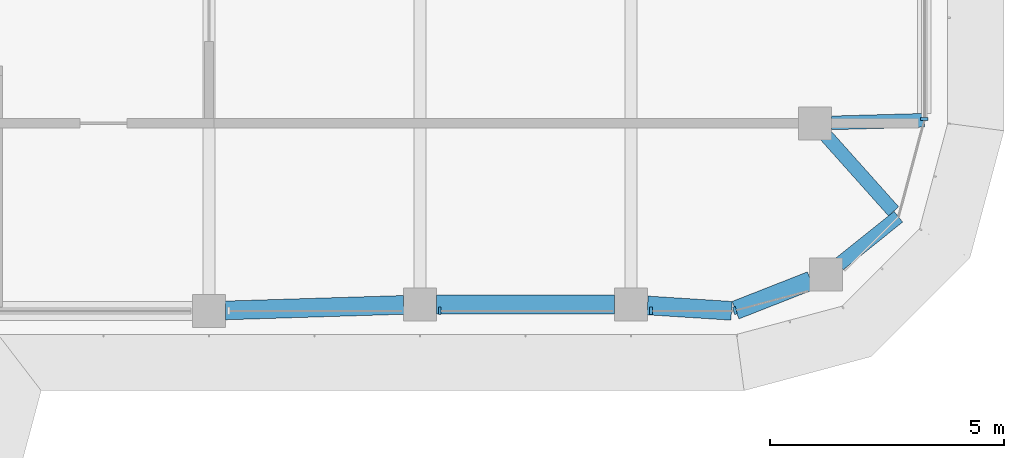
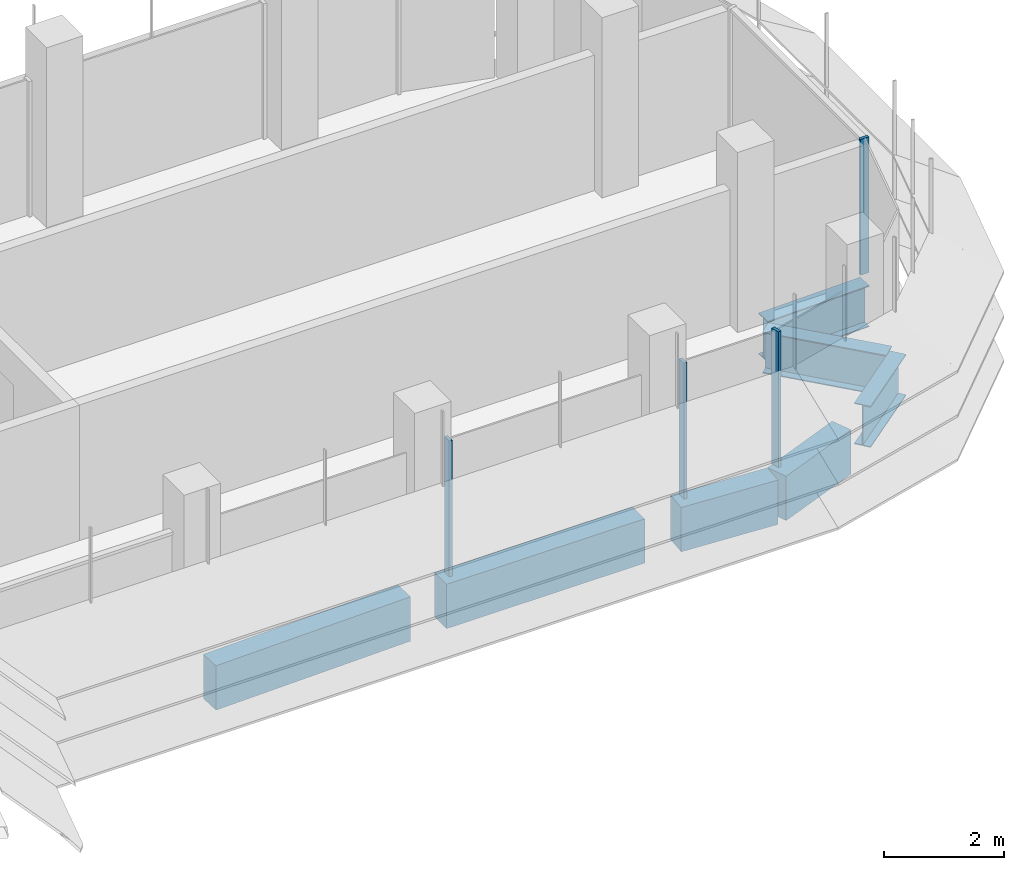
# One storey, part 5 of 19: 7 beams, 4 members, 3 elements without a shape of their own.
"""IFC4 building model written with IfcOpenShell, lengths in metres."""

from ifc_helpers import new_model, si_unit, direction, frame, origin, origin_2d, place, context, subcontext, project, spatial, polyline, rectangle, i_section, outline, extrude, source, transform, mapped, material, material_profile, profile_set, type_object, element, aggregate, save


model = new_model("IFC4")

# Units and contexts
model_context = context("Model", 3, precision=1e-05, world=origin(), true_north=direction((0.0, 1.0)))
body_context = subcontext(model_context, "Body", "Model", "MODEL_VIEW")
ifc_project = project(units=[si_unit("LENGTHUNIT", "METRE"), si_unit("AREAUNIT", "SQUARE_METRE"), si_unit("VOLUMEUNIT", "CUBIC_METRE"), si_unit("PLANEANGLEUNIT", "RADIAN"), si_unit("MASSUNIT", "GRAM", prefix="KILO")], contexts=[model_context])

# Site, building, storey
site_placement = place(None, origin())
site = spatial("IfcSite", under=ifc_project, at=site_placement, CompositionType="ELEMENT")
building_placement = place(site_placement, origin())
building = spatial("IfcBuilding", under=site, at=building_placement, Name="Zarbagh Exchange Tower", CompositionType="ELEMENT")
storey_placement = place(building_placement, frame((0.0, 0.0, 237.199951171875)))
storey = spatial("IfcBuildingStorey", under=building, at=storey_placement, Name="L58", CompositionType="ELEMENT", Elevation=237.199951171875)

# Beams
ifc_material_1 = material(Name="Steel ASTM A992 Gr 50", Category="steel")
ifc_material_profile_1 = material_profile(ifc_material_1, i_section(OverallWidth=0.2919921875, OverallDepth=0.835693359375, WebThickness=0.013916015625, FlangeThickness=0.018798828125, at=origin_2d()), Name="W33X118")
ifc_profile_set_1 = profile_set([ifc_material_profile_1], Name="Steel ASTM A992 Gr 50")
beam_type_1 = type_object("IfcBeamType", Name="Floor girder W33X118", PredefinedType="BEAM", material=ifc_profile_set_1)
beam_1_placement = place(storey_placement, frame((31.0, -2.18408203125, -0.56787109375), z_axis=(-0.999601581355, -0.028225494714, 0.0), x_axis=(0.028225494714, -0.999601581355, 0.0)))
element("IfcBeam", 1, at=beam_1_placement, inside=storey, type_object=beam_type_1, Name="Steel girder", PredefinedType="BEAM", context=body_context, shape_type="SweptSolid", body=[
    extrude(i_section(OverallWidth=0.2919921875, OverallDepth=0.835693359375, WebThickness=0.013916015625, FlangeThickness=0.018798828125, at=origin_2d()), origin(), (0.0, 0.0, 1.0), 1.980712890625),
])
beam_2_placement = place(storey_placement, frame((28.9033203125, -2.510986328125, -0.56787109375), z_axis=(0.666194955403, -0.745777635355, 0.0), x_axis=(0.745777635355, 0.666194955403, 0.0)))
element("IfcBeam", 2, at=beam_2_placement, inside=storey, type_object=beam_type_1, Name="Steel girder", PredefinedType="BEAM", context=body_context, shape_type="SweptSolid", body=[
    extrude(i_section(OverallWidth=0.2919921875, OverallDepth=0.835693359375, WebThickness=0.013916015625, FlangeThickness=0.018798828125, at=origin_2d()), origin(), (0.0, 0.0, 1.0), 2.165771484375),
])
beam_3_placement = place(storey_placement, frame((30.44873046875, -4.2412109375, -0.56787109375), z_axis=(-0.780619385558, -0.625006699877, 0.0), x_axis=(0.625006699877, -0.780619385558, 0.0)))
element("IfcBeam", 3, at=beam_3_placement, inside=storey, type_object=beam_type_1, Name="Steel girder", PredefinedType="BEAM", context=body_context, shape_type="SweptSolid", body=[
    extrude(i_section(OverallWidth=0.2919921875, OverallDepth=0.835693359375, WebThickness=0.013916015625, FlangeThickness=0.018798828125, at=origin_2d()), origin(), (0.0, 0.0, 1.0), 1.623779296875),
])
ifc_material_2 = material(Name="Concrete C50/60", Category="concrete")
ifc_material_profile_2 = material_profile(ifc_material_2, rectangle(XDim=0.39990234375, YDim=0.89990234375, at=origin_2d()), Name="RC spandrel beam 400 x 900 C50/60")
ifc_profile_set_2 = profile_set([ifc_material_profile_2], Name="Concrete C50/60")
beam_type_2 = type_object("IfcBeamType", Name="RC spandrel beam 400 x 900 C50/60", PredefinedType="SPANDREL", material=ifc_profile_set_2)
beam_4_placement = place(storey_placement, frame((28.582275390625, -5.602783203125, -0.599853515625), z_axis=(-0.930818525178, -0.365481700207, 0.0), x_axis=(0.365481700207, -0.930818525178, 0.0)))
element("IfcBeam", 4, at=beam_4_placement, inside=storey, type_object=beam_type_2, Name="RC spandrel beam", PredefinedType="SPANDREL", context=body_context, shape_type="SweptSolid", body=[
    extrude(rectangle(XDim=0.39990234375, YDim=0.89990234375, at=origin_2d()), origin(), (0.0, 0.0, 1.0), 1.72607421875),
])
beam_5_placement = place(storey_placement, frame((26.8896484375, -6.247314453125, -0.599853515625), z_axis=(-0.997943601797, 0.064098109429, 0.0), x_axis=(-0.064098109429, -0.997943601797, 0.0)))
element("IfcBeam", 5, at=beam_5_placement, inside=storey, type_object=beam_type_2, Name="RC spandrel beam", PredefinedType="SPANDREL", context=body_context, shape_type="SweptSolid", body=[
    extrude(rectangle(XDim=0.39990234375, YDim=0.89990234375, at=origin_2d()), origin(), (0.0, 0.0, 1.0), 1.7939453125),
])
beam_6_placement = place(storey_placement, frame((24.39990234375, -6.110107421875, -0.599853515625), z_axis=(-1.0, 0.0, 0.0), x_axis=(0.0, -1.0, 0.0)))
element("IfcBeam", 6, at=beam_6_placement, inside=storey, type_object=beam_type_2, Name="RC spandrel beam", PredefinedType="SPANDREL", context=body_context, shape_type="SweptSolid", body=[
    extrude(rectangle(XDim=0.39990234375, YDim=0.89990234375, at=origin_2d()), origin(), (0.0, 0.0, 1.0), 3.7998046875),
])
beam_7_placement = place(storey_placement, frame((19.900146484375, -6.120849609375, -0.599853515625), z_axis=(-0.999516950199, -0.031078389046, 0.0), x_axis=(0.031078389046, -0.999516950199, 0.0)))
element("IfcBeam", 7, at=beam_7_placement, inside=storey, type_object=beam_type_2, Name="RC spandrel beam", PredefinedType="SPANDREL", context=body_context, shape_type="SweptSolid", body=[
    extrude(rectangle(XDim=0.39990234375, YDim=0.89990234375, at=origin_2d()), origin(), (0.0, 0.0, 1.0), 3.80224609375),
])

# Curtain wall, members
ifc_material_3 = material(Name="Anodised aluminium frame and glazing", Category="aluminium")
curtain_wall_type = type_object("IfcCurtainWallType", Name="CWB Ribbon glazing, upper zones", PredefinedType="NOTDEFINED", material=ifc_material_3)
curtain_wall_1_placement = place(storey_placement, origin())
curtain_wall_1 = element("IfcCurtainWall", 8, at=curtain_wall_1_placement, inside=storey, type_object=curtain_wall_type, Name="CWB08 curtain wall", PredefinedType="NOTDEFINED")
ifc_material_4 = material(Name="Anodised aluminium frame", Category="aluminium")
member_type = type_object("IfcMemberType", Name="MUB Mullion, anodised aluminium frame", PredefinedType="MULLION", material=ifc_material_4)
shared_shape = source(origin(), body_context, "Body", "SweptSolid", [
    extrude(outline(polyline([(0.0, -0.080078125), (0.06005859375, -0.080078125), (0.06005859375, 0.080078125), (0.0, 0.080078125), (0.0, -0.080078125)])), origin(), (0.0, 0.0, 1.0), 2.75),
])
placement = place(storey_placement, origin())
member_1 = element("IfcMember", 9, at=placement, type_object=member_type, Name="CWB08 mullion 3.1", PredefinedType="MULLION", context=body_context, shape_type="MappedRepresentation", body=[
    mapped(shared_shape, transform((20.64013671875, -6.25, 0.0), x_axis=(1.0, 0.0, 0.0), y_axis=(0.0, 1.0, 0.0), z_axis=(0.0, 0.0, 1.0))),
])
member_2 = element("IfcMember", 10, at=placement, type_object=member_type, Name="CWB08 mullion 4.1", PredefinedType="MULLION", context=body_context, shape_type="MappedRepresentation", body=[
    mapped(shared_shape, transform((25.14013671875, -6.25, 0.0), x_axis=(1.0, 0.0, 0.0), y_axis=(0.0, 1.0, 0.0), z_axis=(0.0, 0.0, 1.0))),
])
aggregate(curtain_wall_1, [member_1, member_2])

# Curtain wall, member
curtain_wall_2_placement = place(storey_placement, origin())
curtain_wall_2 = element("IfcCurtainWall", 11, at=curtain_wall_2_placement, inside=storey, type_object=curtain_wall_type, Name="CWB09 curtain wall", PredefinedType="NOTDEFINED")
member_3 = element("IfcMember", 12, at=placement, type_object=member_type, Name="CWB09 mullion 1.1", PredefinedType="MULLION", context=body_context, shape_type="MappedRepresentation", body=[
    mapped(shared_shape, transform((26.93408203125, -6.25, 0.0), x_axis=(0.965924289636, 0.258824779902, 0.0), y_axis=(-0.258824779902, 0.965924289636, 0.0), z_axis=(0.0, 0.0, 1.0))),
])
aggregate(curtain_wall_2, [member_3])

curtain_wall_3_placement = place(storey_placement, origin())
curtain_wall_3 = element("IfcCurtainWall", 13, at=curtain_wall_3_placement, inside=storey, type_object=curtain_wall_type, Name="CWB12 curtain wall", PredefinedType="NOTDEFINED")
member_4 = element("IfcMember", 14, at=placement, type_object=member_type, Name="CWB12 mullion 1.1", PredefinedType="MULLION", context=body_context, shape_type="MappedRepresentation", body=[
    mapped(shared_shape, transform((31.0, -2.18408203125, 0.0), x_axis=(0.0, 1.0, 0.0), y_axis=(-1.0, 0.0, 0.0), z_axis=(0.0, 0.0, 1.0))),
])
aggregate(curtain_wall_3, [member_4])

save(model, "model.ifc")
